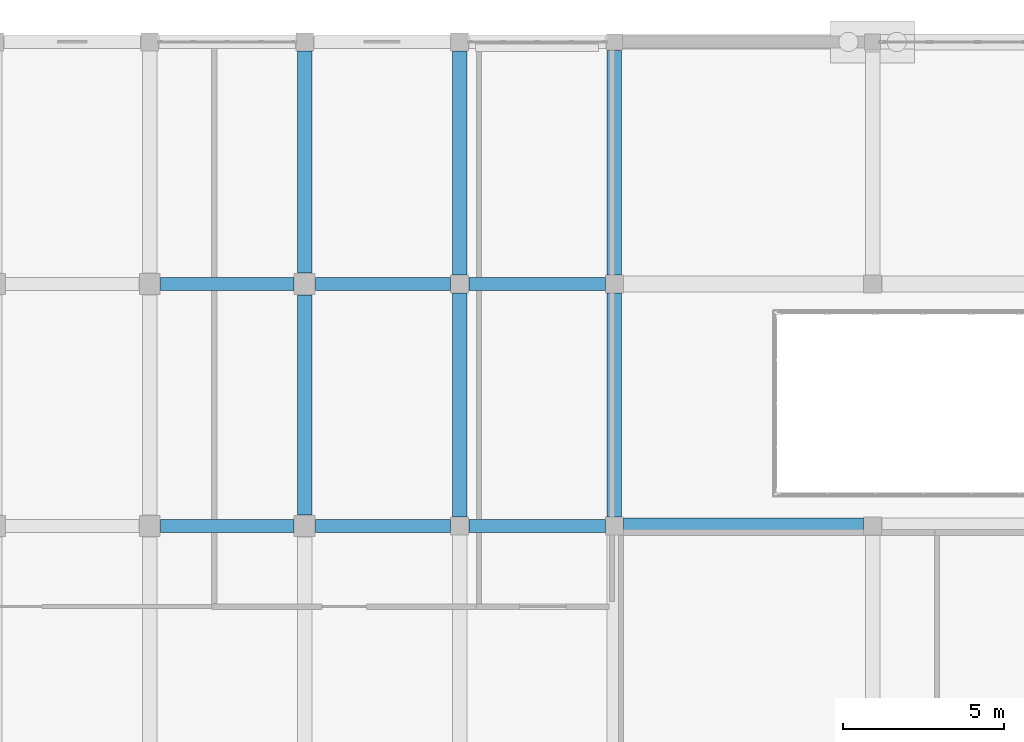
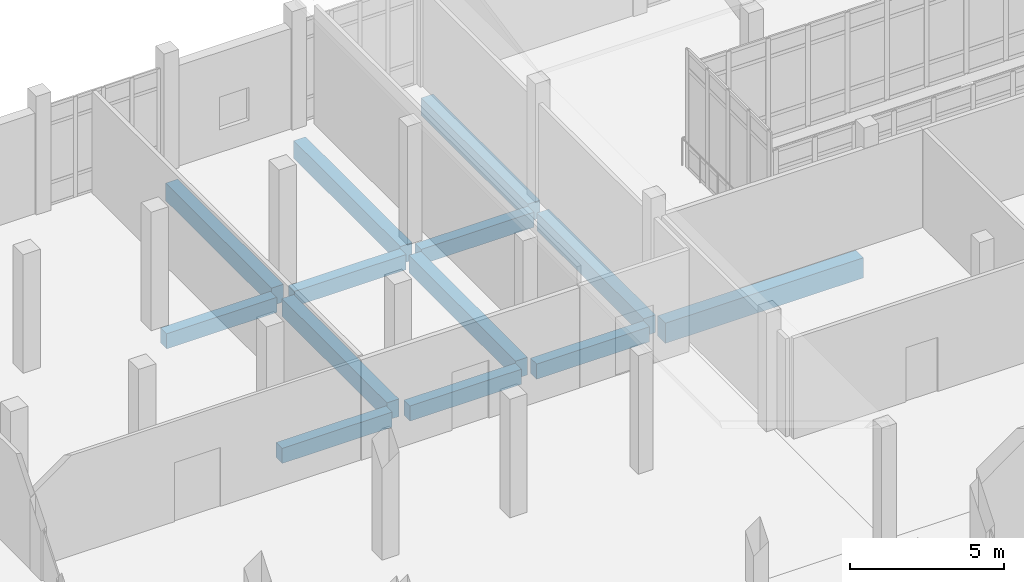
# One storey, part 84 of 173: 13 beams.
"""IFC4 building model written with IfcOpenShell, lengths in metres."""

import ifcopenshell
import ifcopenshell.guid

model = None  # the IFC model being written
_history = None  # IfcOwnerHistory: only IFC2X3 demands one
_inside = {}  # id of a spatial element -> (the spatial element, [elements in it])
_under = {}  # id of a project, library or spatial element -> (it, [spatial elements below it])
_declared = {}  # id of a project -> (the project, [libraries it declares])
_typed = {}  # id of a type object -> (the type object, [elements of that type])
_made_of = {}  # id of a material, layer set ... -> (it, [elements and type objects made of it])


def new_model(schema):
    """Start an empty IFC model of exactly this schema.

    Asked for "IFC4X3", IfcOpenShell would pick the latest addendum, in which some entities
    have other attributes; the version numbers below select the first issue.
    IFC2X3 requires an IfcOwnerHistory on every rooted entity: one is made here for all.
    """
    global model, _history
    if schema == "IFC4X3":
        model = ifcopenshell.file(schema_version=(4, 3, 0, 0))
    else:
        model = ifcopenshell.file(schema=schema)
    _inside.clear()
    _under.clear()
    _declared.clear()
    _typed.clear()
    _made_of.clear()
    _history = None
    if model.schema == "IFC2X3":
        org = make("IfcOrganization", Name="unknown")
        user = make(
            "IfcPersonAndOrganization",
            ThePerson=make("IfcPerson", FamilyName="unknown"),
            TheOrganization=org,
        )
        app = make(
            "IfcApplication",
            ApplicationDeveloper=org,
            Version="unknown",
            ApplicationFullName="unknown",
            ApplicationIdentifier="unknown",
        )
        _history = make(
            "IfcOwnerHistory",
            OwningUser=user,
            OwningApplication=app,
            ChangeAction="ADDED",
            CreationDate=0,
        )
    return model


def make(cls, **values):
    """One entity of the class cls with the attributes given. An attribute that is None is left unset."""
    return model.create_entity(
        cls, **{name: value for name, value in values.items() if value is not None}
    )


def rooted(cls, **values):
    """An entity with a GlobalId (a new one), such as an element, a storey or a relation."""
    return make(cls, GlobalId=ifcopenshell.guid.new(), OwnerHistory=_history, **values)


def si_unit(unit_type, name, prefix=None):
    """IfcSIUnit, for example si_unit("LENGTHUNIT", "METRE", prefix="MILLI")."""
    return make("IfcSIUnit", UnitType=unit_type, Prefix=prefix, Name=name)


def assignment(units):
    """IfcUnitAssignment: the units of a project."""
    return None if units is None else make("IfcUnitAssignment", Units=units)


def point(xyz):
    """IfcCartesianPoint."""
    return None if xyz is None else make("IfcCartesianPoint", Coordinates=xyz)


def direction(xyz):
    """IfcDirection."""
    return None if xyz is None else make("IfcDirection", DirectionRatios=xyz)


def frame(location, z_axis=None, x_axis=None):
    """IfcAxis2Placement3D, a coordinate frame: its origin and axes. An axis left out is left unset."""
    return make(
        "IfcAxis2Placement3D",
        Location=point(location),
        Axis=direction(z_axis),
        RefDirection=direction(x_axis),
    )


def frame_2d(location, x_axis=None):
    """IfcAxis2Placement2D, a coordinate frame in the plane: its origin and x axis."""
    return make(
        "IfcAxis2Placement2D", Location=point(location), RefDirection=direction(x_axis)
    )


def origin():
    """The frame at (0, 0, 0) with its axes left unset."""
    return frame((0.0, 0.0, 0.0))


def origin_2d():
    """The frame at (0, 0) in the plane with its x axis left unset."""
    return frame_2d((0.0, 0.0))


def place(relative_to, where):
    """IfcLocalPlacement: puts the frame where relative to a parent placement (None: the world)."""
    return make(
        "IfcLocalPlacement", PlacementRelTo=relative_to, RelativePlacement=where
    )


def context(
    kind, dimensions, precision=None, world=None, true_north=None, identifier=None
):
    """IfcGeometricRepresentationContext, for example the 3D "Model" context."""
    return make(
        "IfcGeometricRepresentationContext",
        ContextIdentifier=identifier,
        ContextType=kind,
        CoordinateSpaceDimension=dimensions,
        Precision=precision,
        WorldCoordinateSystem=world,
        TrueNorth=true_north,
    )


def subcontext(parent, identifier, kind, view, scale=None):
    """IfcGeometricRepresentationSubContext, for example "Body" below "Model"."""
    return make(
        "IfcGeometricRepresentationSubContext",
        ContextIdentifier=identifier,
        ContextType=kind,
        ParentContext=parent,
        TargetScale=scale,
        TargetView=view,
    )


def project(units=None, contexts=None):
    """IfcProject with its units and contexts."""
    return rooted(
        "IfcProject",
        Name="project",
        RepresentationContexts=contexts,
        UnitsInContext=assignment(units),
    )


def spatial(cls, under=None, at=None, **own):
    """A site, building, storey or space (cls), placed at a placement, below another one or the project."""
    s = rooted(cls, ObjectPlacement=at, **own)
    if under is not None:
        _under.setdefault(under.id(), (under, []))[1].append(s)
    return s


def profile(cls, at=None, kind="AREA", **sizes):
    """A parametric profile (cls). Its sizes go by their IFC names, for example OverallWidth=200.0."""
    return make(cls, ProfileType=kind, Position=at, **sizes)


def rectangle(**sizes):
    """IfcRectangleProfileDef."""
    return profile("IfcRectangleProfileDef", **sizes)


def extrude(swept, where, along, depth):
    """IfcExtrudedAreaSolid: the profile swept, set in the frame where, extruded along a direction by depth."""
    return make(
        "IfcExtrudedAreaSolid",
        SweptArea=swept,
        Position=where,
        ExtrudedDirection=direction(along),
        Depth=depth,
    )


def shape(context_of_items, identifier, shape_type, items):
    """IfcShapeRepresentation: the items that make up one representation, for example the "Body"."""
    return make(
        "IfcShapeRepresentation",
        ContextOfItems=context_of_items,
        RepresentationIdentifier=identifier,
        RepresentationType=shape_type,
        Items=items,
    )


def material(Name=None, Category=None):
    """IfcMaterial."""
    return make("IfcMaterial", Name=Name, Category=Category)


def material_profile(
    of_material, cross_section, Name=None, Category=None, Priority=None
):
    """IfcMaterialProfile: a cross section and its material."""
    return make(
        "IfcMaterialProfile",
        Name=Name,
        Material=of_material,
        Profile=cross_section,
        Priority=Priority,
        Category=Category,
    )


def profile_set(profiles, Name=None, composite=None):
    """IfcMaterialProfileSet."""
    return make(
        "IfcMaterialProfileSet",
        Name=Name,
        MaterialProfiles=profiles,
        CompositeProfile=composite,
    )


def made_of(thing, what):
    """Note that an element or type object is made of a material, layer set ...; save() writes the relation."""
    if what is not None:
        _made_of.setdefault(what.id(), (what, []))[1].append(thing)
    return thing


def type_object(cls, material=None, **own):
    """A type object (cls), such as IfcWallType, which elements share."""
    return made_of(rooted(cls, **own), material)


def element(
    cls,
    number,
    at=None,
    inside=None,
    cuts=None,
    type_object=None,
    material=None,
    context=None,
    identifier="Body",
    shape_type=None,
    held_by="IfcProductDefinitionShape",
    body=None,
    shapes=None,
    **own,
):
    """One element of the class cls, such as IfcWall. Its Tag is "e" and its number.

    at: its placement. inside: the storey or other place that contains it. cuts: it is an
    opening in that element (IfcRelVoidsElement). A single representation is given by context,
    identifier, shape_type and body (its items); several are given by shapes. held_by: the class
    of the entity that holds the representations. save() writes the other relations.
    """
    e = rooted(cls, Tag="e%d" % number, ObjectPlacement=at, **own)
    if body is not None:
        shapes = [shape(context, identifier, shape_type, body)]
    if shapes is not None:
        e.Representation = make(held_by, Representations=shapes)
    if inside is not None:
        _inside.setdefault(inside.id(), (inside, []))[1].append(e)
    if cuts is not None:
        rooted(
            "IfcRelVoidsElement", RelatingBuildingElement=cuts, RelatedOpeningElement=e
        )
    if type_object is not None:
        _typed.setdefault(type_object.id(), (type_object, []))[1].append(e)
    return made_of(e, material)


def aggregate(whole, parts):
    """IfcRelAggregates: a whole, such as a stair, and the parts it consists of."""
    return rooted("IfcRelAggregates", RelatingObject=whole, RelatedObjects=parts)


def save(model, path):
    """Write the relations noted so far, then the file.

    IfcRelAggregates (storeys below a building ...), IfcRelContainedInSpatialStructure (elements
    in a storey), IfcRelDefinesByType, IfcRelAssociatesMaterial and IfcRelDeclares: one each for
    every whole, place, type object, material and project.
    """
    for whole, parts in _under.values():
        aggregate(whole, parts)
    for where, things in _inside.values():
        rooted(
            "IfcRelContainedInSpatialStructure",
            RelatedElements=things,
            RelatingStructure=where,
        )
    for kind, things in _typed.values():
        rooted("IfcRelDefinesByType", RelatedObjects=things, RelatingType=kind)
    for what, things in _made_of.values():
        rooted("IfcRelAssociatesMaterial", RelatedObjects=things, RelatingMaterial=what)
    for by, libraries in _declared.values():
        rooted("IfcRelDeclares", RelatingContext=by, RelatedDefinitions=libraries)
    model.write(path)


model = new_model("IFC4")

# Units and contexts
model_context = context("Model", 3, precision=1e-05, world=origin(), true_north=direction((0.0, 1.0)))
body_context = subcontext(model_context, "Body", "Model", "MODEL_VIEW")
ifc_project = project(units=[si_unit("LENGTHUNIT", "METRE"), si_unit("AREAUNIT", "SQUARE_METRE"), si_unit("VOLUMEUNIT", "CUBIC_METRE"), si_unit("PLANEANGLEUNIT", "RADIAN"), si_unit("MASSUNIT", "GRAM", prefix="KILO")], contexts=[model_context])

# Site, building, storey
site_placement = place(None, origin())
site = spatial("IfcSite", under=ifc_project, at=site_placement, CompositionType="ELEMENT")
building_placement = place(site_placement, origin())
building = spatial("IfcBuilding", under=site, at=building_placement, Name="Mawjan Specialist Oncology Clinic", CompositionType="ELEMENT")
storey_placement = place(building_placement, origin())
storey = spatial("IfcBuildingStorey", under=building, at=storey_placement, Name="L00", CompositionType="ELEMENT", Elevation=0.0)

# Beams
ifc_material_1 = material(Name="Concrete C40/50", Category="concrete")
ifc_material_profile_1 = material_profile(ifc_material_1, rectangle(XDim=0.39990234375, YDim=0.60009765625, at=origin_2d()), Name="RC BM 400x600", Category="concrete")
ifc_profile_set_1 = profile_set([ifc_material_profile_1], Name="Concrete C40/50")
beam_type_1 = type_object("IfcBeamType", Name="BM-400x600", PredefinedType="BEAM", material=ifc_profile_set_1)
beam_1_placement = place(storey_placement, frame((93.93505859375, 98.300048828125, -0.719970703125), z_axis=(1.0, 0.0, 0.0), x_axis=(0.0, 1.0, 0.0)))
element("IfcBeam", 1, at=beam_1_placement, inside=storey, type_object=beam_type_1, Name="L00 Collector Beam BM-L00-0073", PredefinedType="BEAM", context=body_context, shape_type="SweptSolid", body=[
    extrude(rectangle(XDim=0.39990234375, YDim=0.60009765625, at=origin_2d()), origin(), (0.0, 0.0, 1.0), 4.1298828125),
])
beam_2_placement = place(storey_placement, frame((98.735107421875, 98.300048828125, -0.719970703125), z_axis=(1.0, 0.0, 0.0), x_axis=(0.0, 1.0, 0.0)))
element("IfcBeam", 2, at=beam_2_placement, inside=storey, type_object=beam_type_1, Name="L00 Collector Beam BM-L00-0074", PredefinedType="BEAM", context=body_context, shape_type="SweptSolid", body=[
    extrude(rectangle(XDim=0.39990234375, YDim=0.60009765625, at=origin_2d()), origin(), (0.0, 0.0, 1.0), 4.179931640625),
])
beam_3_placement = place(storey_placement, frame((103.485107421875, 98.300048828125, -0.719970703125), z_axis=(1.0, 0.0, 0.0), x_axis=(0.0, 1.0, 0.0)))
element("IfcBeam", 3, at=beam_3_placement, inside=storey, type_object=beam_type_1, Name="L00 Collector Beam BM-L00-0075", PredefinedType="BEAM", context=body_context, shape_type="SweptSolid", body=[
    extrude(rectangle(XDim=0.39990234375, YDim=0.60009765625, at=origin_2d()), origin(), (0.0, 0.0, 1.0), 4.22998046875),
])
beam_4_placement = place(storey_placement, frame((93.93505859375, 105.800048828125, -0.719970703125), z_axis=(1.0, 0.0, 0.0), x_axis=(0.0, 1.0, 0.0)))
element("IfcBeam", 4, at=beam_4_placement, inside=storey, type_object=beam_type_1, Name="L00 Collector Beam BM-L00-0092", PredefinedType="BEAM", context=body_context, shape_type="SweptSolid", body=[
    extrude(rectangle(XDim=0.39990234375, YDim=0.60009765625, at=origin_2d()), origin(), (0.0, 0.0, 1.0), 4.1298828125),
])
beam_5_placement = place(storey_placement, frame((98.735107421875, 105.800048828125, -0.719970703125), z_axis=(1.0, 0.0, 0.0), x_axis=(0.0, 1.0, 0.0)))
element("IfcBeam", 5, at=beam_5_placement, inside=storey, type_object=beam_type_1, Name="L00 Collector Beam BM-L00-0093", PredefinedType="BEAM", context=body_context, shape_type="SweptSolid", body=[
    extrude(rectangle(XDim=0.39990234375, YDim=0.60009765625, at=origin_2d()), origin(), (0.0, 0.0, 1.0), 4.179931640625),
])
beam_6_placement = place(storey_placement, frame((103.485107421875, 105.800048828125, -0.719970703125), z_axis=(1.0, 0.0, 0.0), x_axis=(0.0, 1.0, 0.0)))
element("IfcBeam", 6, at=beam_6_placement, inside=storey, type_object=beam_type_1, Name="L00 Collector Beam BM-L00-0094", PredefinedType="BEAM", context=body_context, shape_type="SweptSolid", body=[
    extrude(rectangle(XDim=0.39990234375, YDim=0.60009765625, at=origin_2d()), origin(), (0.0, 0.0, 1.0), 4.22998046875),
])
ifc_material_2 = material(Name="Concrete C40/50", Category="concrete")
ifc_material_profile_2 = material_profile(ifc_material_2, rectangle(XDim=0.449951171875, YDim=0.699951171875, at=origin_2d()), Name="RC BM 450x700", Category="concrete")
ifc_profile_set_2 = profile_set([ifc_material_profile_2], Name="Concrete C40/50")
beam_type_2 = type_object("IfcBeamType", Name="BM-450x700", PredefinedType="BEAM", material=ifc_profile_set_2)
beam_7_placement = place(storey_placement, frame((98.39990234375, 98.635009765625, -0.77001953125), z_axis=(0.0, 1.0, 0.0), x_axis=(-1.0, 0.0, 0.0)))
element("IfcBeam", 7, at=beam_7_placement, inside=storey, type_object=beam_type_2, Name="L00 Collector Beam BM-L00-0172", PredefinedType="BEAM", context=body_context, shape_type="SweptSolid", body=[
    extrude(rectangle(XDim=0.449951171875, YDim=0.699951171875, at=origin_2d()), origin(), (0.0, 0.0, 1.0), 6.830078125),
])
beam_8_placement = place(storey_placement, frame((98.39990234375, 106.135009765625, -0.77001953125), z_axis=(0.0, 1.0, 0.0), x_axis=(-1.0, 0.0, 0.0)))
element("IfcBeam", 8, at=beam_8_placement, inside=storey, type_object=beam_type_2, Name="L00 Collector Beam BM-L00-0173", PredefinedType="BEAM", context=body_context, shape_type="SweptSolid", body=[
    extrude(rectangle(XDim=0.449951171875, YDim=0.699951171875, at=origin_2d()), origin(), (0.0, 0.0, 1.0), 6.8798828125),
])
for number, where, z_axis, x_axis, name in (
    (9, (103.199951171875, 98.5849609375, -0.77001953125), (0.0, 1.0, 0.0), (-1.0, 0.0, 0.0), "L00 Collector Beam BM-L00-0177"),
    (10, (103.199951171875, 106.0849609375, -0.77001953125), (0.0, 1.0, 0.0), (-1.0, 0.0, 0.0), "L00 Collector Beam BM-L00-0178"),
    (11, (108.0, 98.5849609375, -0.77001953125), (0.0, 1.0, 0.0), (-1.0, 0.0, 0.0), "L00 Collector Beam BM-L00-0182"),
):
    element("IfcBeam", number, at=place(storey_placement, frame(where, z_axis=z_axis, x_axis=x_axis)), inside=storey, type_object=beam_type_2, Name=name, PredefinedType="BEAM", context=body_context, shape_type="SweptSolid", body=[
        extrude(rectangle(XDim=0.449951171875, YDim=0.699951171875, at=origin_2d()), origin(), (0.0, 0.0, 1.0), 6.929931640625),
    ])
beam_9_placement = place(storey_placement, frame((108.0, 106.0849609375, -0.77001953125), z_axis=(0.0, 1.0, 0.0), x_axis=(-1.0, 0.0, 0.0)))
element("IfcBeam", 12, at=beam_9_placement, inside=storey, type_object=beam_type_2, Name="L00 Collector Beam BM-L00-0183", PredefinedType="BEAM", context=body_context, shape_type="SweptSolid", body=[
    extrude(rectangle(XDim=0.449951171875, YDim=0.699951171875, at=origin_2d()), origin(), (0.0, 0.0, 1.0), 6.955078125),
])
ifc_material_3 = material(Name="Concrete C45/55", Category="concrete")
ifc_material_profile_3 = material_profile(ifc_material_3, rectangle(XDim=0.5, YDim=0.800048828125, at=origin_2d()), Name="RC BM 500x800", Category="concrete")
ifc_profile_set_3 = profile_set([ifc_material_profile_3], Name="Concrete C45/55")
beam_type_3 = type_object("IfcBeamType", Name="BM-500x800", PredefinedType="BEAM", material=ifc_profile_set_3)
beam_10_placement = place(storey_placement, frame((108.284912109375, 98.300048828125, -0.85009765625), z_axis=(1.0, 0.0, 0.0), x_axis=(0.0, 1.0, 0.0)))
element("IfcBeam", 13, at=beam_10_placement, inside=storey, type_object=beam_type_3, Name="L00 Collector Beam BM-L00-0076", PredefinedType="BEAM", context=body_context, shape_type="SweptSolid", body=[
    extrude(rectangle(XDim=0.5, YDim=0.800048828125, at=origin_2d()), origin(), (0.0, 0.0, 1.0), 7.43017578125),
])

save(model, "model.ifc")
